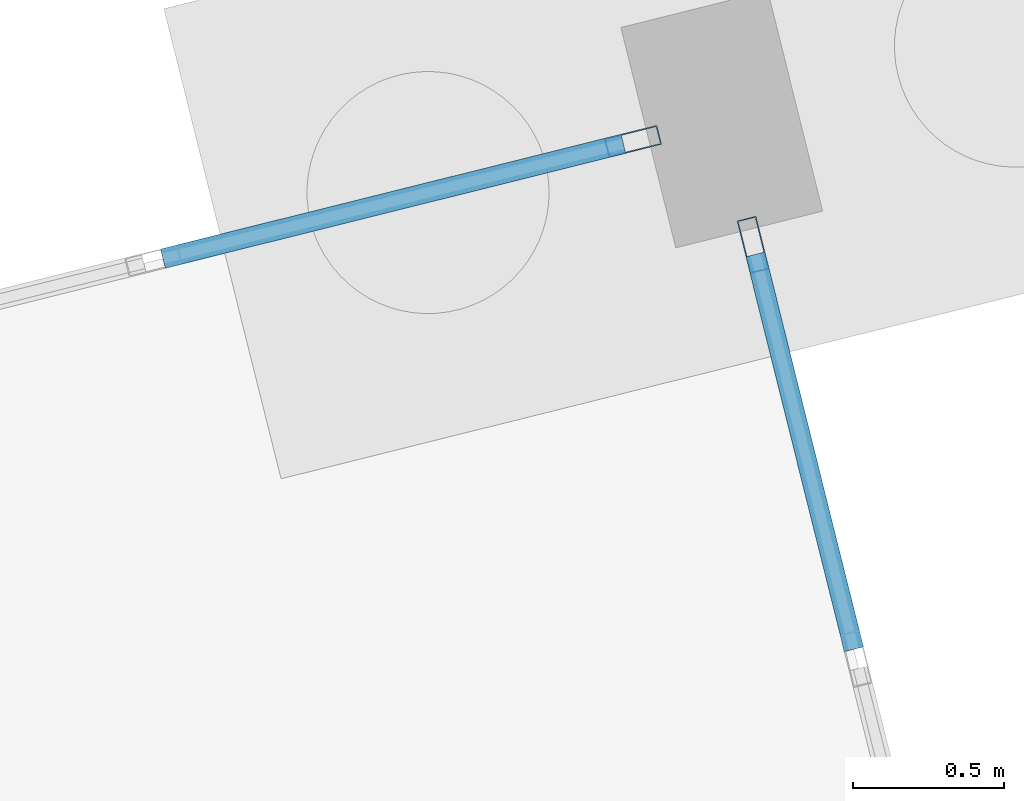
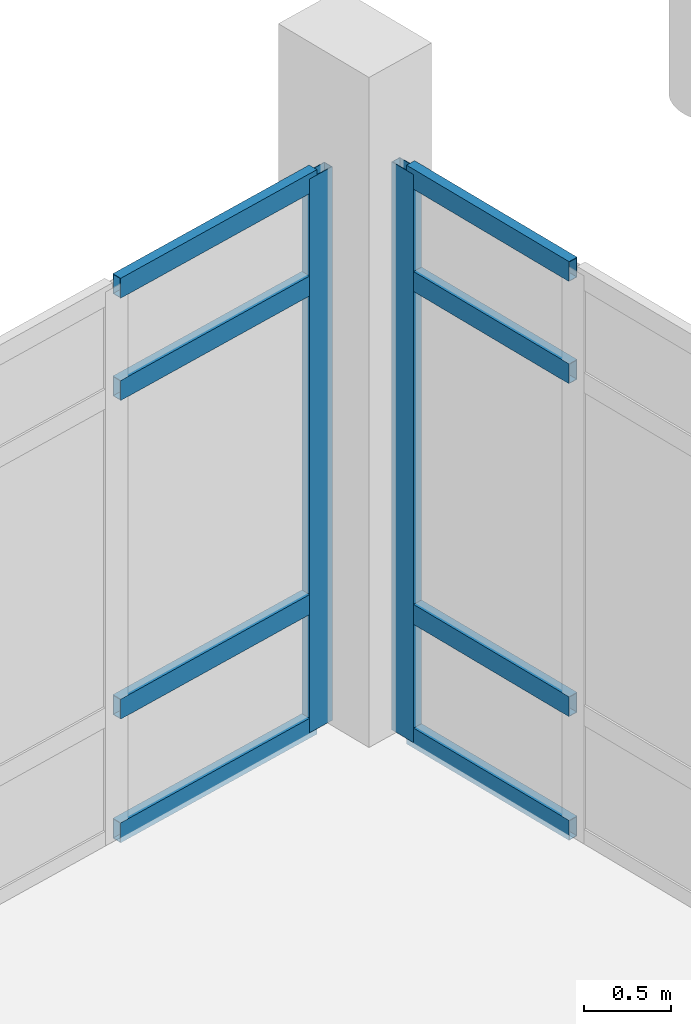
# One storey, part 102 of 173: 10 members, 2 elements without a shape of their own.
"""IFC4 building model written with IfcOpenShell, lengths in metres."""

import ifcopenshell
import ifcopenshell.guid

model = None  # the IFC model being written
_history = None  # IfcOwnerHistory: only IFC2X3 demands one
_inside = {}  # id of a spatial element -> (the spatial element, [elements in it])
_under = {}  # id of a project, library or spatial element -> (it, [spatial elements below it])
_declared = {}  # id of a project -> (the project, [libraries it declares])
_typed = {}  # id of a type object -> (the type object, [elements of that type])
_made_of = {}  # id of a material, layer set ... -> (it, [elements and type objects made of it])


def new_model(schema):
    """Start an empty IFC model of exactly this schema.

    Asked for "IFC4X3", IfcOpenShell would pick the latest addendum, in which some entities
    have other attributes; the version numbers below select the first issue.
    IFC2X3 requires an IfcOwnerHistory on every rooted entity: one is made here for all.
    """
    global model, _history
    if schema == "IFC4X3":
        model = ifcopenshell.file(schema_version=(4, 3, 0, 0))
    else:
        model = ifcopenshell.file(schema=schema)
    _inside.clear()
    _under.clear()
    _declared.clear()
    _typed.clear()
    _made_of.clear()
    _history = None
    if model.schema == "IFC2X3":
        org = make("IfcOrganization", Name="unknown")
        user = make(
            "IfcPersonAndOrganization",
            ThePerson=make("IfcPerson", FamilyName="unknown"),
            TheOrganization=org,
        )
        app = make(
            "IfcApplication",
            ApplicationDeveloper=org,
            Version="unknown",
            ApplicationFullName="unknown",
            ApplicationIdentifier="unknown",
        )
        _history = make(
            "IfcOwnerHistory",
            OwningUser=user,
            OwningApplication=app,
            ChangeAction="ADDED",
            CreationDate=0,
        )
    return model


def make(cls, **values):
    """One entity of the class cls with the attributes given. An attribute that is None is left unset."""
    return model.create_entity(
        cls, **{name: value for name, value in values.items() if value is not None}
    )


def rooted(cls, **values):
    """An entity with a GlobalId (a new one), such as an element, a storey or a relation."""
    return make(cls, GlobalId=ifcopenshell.guid.new(), OwnerHistory=_history, **values)


def si_unit(unit_type, name, prefix=None):
    """IfcSIUnit, for example si_unit("LENGTHUNIT", "METRE", prefix="MILLI")."""
    return make("IfcSIUnit", UnitType=unit_type, Prefix=prefix, Name=name)


def assignment(units):
    """IfcUnitAssignment: the units of a project."""
    return None if units is None else make("IfcUnitAssignment", Units=units)


def point(xyz):
    """IfcCartesianPoint."""
    return None if xyz is None else make("IfcCartesianPoint", Coordinates=xyz)


def direction(xyz):
    """IfcDirection."""
    return None if xyz is None else make("IfcDirection", DirectionRatios=xyz)


def frame(location, z_axis=None, x_axis=None):
    """IfcAxis2Placement3D, a coordinate frame: its origin and axes. An axis left out is left unset."""
    return make(
        "IfcAxis2Placement3D",
        Location=point(location),
        Axis=direction(z_axis),
        RefDirection=direction(x_axis),
    )


def frame_2d(location, x_axis=None):
    """IfcAxis2Placement2D, a coordinate frame in the plane: its origin and x axis."""
    return make(
        "IfcAxis2Placement2D", Location=point(location), RefDirection=direction(x_axis)
    )


def origin():
    """The frame at (0, 0, 0) with its axes left unset."""
    return frame((0.0, 0.0, 0.0))


def origin_2d():
    """The frame at (0, 0) in the plane with its x axis left unset."""
    return frame_2d((0.0, 0.0))


def place(relative_to, where):
    """IfcLocalPlacement: puts the frame where relative to a parent placement (None: the world)."""
    return make(
        "IfcLocalPlacement", PlacementRelTo=relative_to, RelativePlacement=where
    )


def context(
    kind, dimensions, precision=None, world=None, true_north=None, identifier=None
):
    """IfcGeometricRepresentationContext, for example the 3D "Model" context."""
    return make(
        "IfcGeometricRepresentationContext",
        ContextIdentifier=identifier,
        ContextType=kind,
        CoordinateSpaceDimension=dimensions,
        Precision=precision,
        WorldCoordinateSystem=world,
        TrueNorth=true_north,
    )


def subcontext(parent, identifier, kind, view, scale=None):
    """IfcGeometricRepresentationSubContext, for example "Body" below "Model"."""
    return make(
        "IfcGeometricRepresentationSubContext",
        ContextIdentifier=identifier,
        ContextType=kind,
        ParentContext=parent,
        TargetScale=scale,
        TargetView=view,
    )


def project(units=None, contexts=None):
    """IfcProject with its units and contexts."""
    return rooted(
        "IfcProject",
        Name="project",
        RepresentationContexts=contexts,
        UnitsInContext=assignment(units),
    )


def spatial(cls, under=None, at=None, **own):
    """A site, building, storey or space (cls), placed at a placement, below another one or the project."""
    s = rooted(cls, ObjectPlacement=at, **own)
    if under is not None:
        _under.setdefault(under.id(), (under, []))[1].append(s)
    return s


def profile(cls, at=None, kind="AREA", **sizes):
    """A parametric profile (cls). Its sizes go by their IFC names, for example OverallWidth=200.0."""
    return make(cls, ProfileType=kind, Position=at, **sizes)


def hollow_rectangle(**sizes):
    """IfcRectangleHollowProfileDef."""
    return profile("IfcRectangleHollowProfileDef", **sizes)


def extrude(swept, where, along, depth):
    """IfcExtrudedAreaSolid: the profile swept, set in the frame where, extruded along a direction by depth."""
    return make(
        "IfcExtrudedAreaSolid",
        SweptArea=swept,
        Position=where,
        ExtrudedDirection=direction(along),
        Depth=depth,
    )


def shape(context_of_items, identifier, shape_type, items):
    """IfcShapeRepresentation: the items that make up one representation, for example the "Body"."""
    return make(
        "IfcShapeRepresentation",
        ContextOfItems=context_of_items,
        RepresentationIdentifier=identifier,
        RepresentationType=shape_type,
        Items=items,
    )


def material(Name=None, Category=None):
    """IfcMaterial."""
    return make("IfcMaterial", Name=Name, Category=Category)


def layer(
    of_material, thickness, ventilated=None, Name=None, Category=None, Priority=None
):
    """IfcMaterialLayer: one layer of a wall or slab, of a material (None: an air gap)."""
    return make(
        "IfcMaterialLayer",
        Material=of_material,
        LayerThickness=thickness,
        IsVentilated=ventilated,
        Name=Name,
        Category=Category,
        Priority=Priority,
    )


def layer_set(layers, Name=None):
    """IfcMaterialLayerSet."""
    return make("IfcMaterialLayerSet", MaterialLayers=layers, LayerSetName=Name)


def material_profile(
    of_material, cross_section, Name=None, Category=None, Priority=None
):
    """IfcMaterialProfile: a cross section and its material."""
    return make(
        "IfcMaterialProfile",
        Name=Name,
        Material=of_material,
        Profile=cross_section,
        Priority=Priority,
        Category=Category,
    )


def profile_set(profiles, Name=None, composite=None):
    """IfcMaterialProfileSet."""
    return make(
        "IfcMaterialProfileSet",
        Name=Name,
        MaterialProfiles=profiles,
        CompositeProfile=composite,
    )


def made_of(thing, what):
    """Note that an element or type object is made of a material, layer set ...; save() writes the relation."""
    if what is not None:
        _made_of.setdefault(what.id(), (what, []))[1].append(thing)
    return thing


def type_object(cls, material=None, **own):
    """A type object (cls), such as IfcWallType, which elements share."""
    return made_of(rooted(cls, **own), material)


def element(
    cls,
    number,
    at=None,
    inside=None,
    cuts=None,
    type_object=None,
    material=None,
    context=None,
    identifier="Body",
    shape_type=None,
    held_by="IfcProductDefinitionShape",
    body=None,
    shapes=None,
    **own,
):
    """One element of the class cls, such as IfcWall. Its Tag is "e" and its number.

    at: its placement. inside: the storey or other place that contains it. cuts: it is an
    opening in that element (IfcRelVoidsElement). A single representation is given by context,
    identifier, shape_type and body (its items); several are given by shapes. held_by: the class
    of the entity that holds the representations. save() writes the other relations.
    """
    e = rooted(cls, Tag="e%d" % number, ObjectPlacement=at, **own)
    if body is not None:
        shapes = [shape(context, identifier, shape_type, body)]
    if shapes is not None:
        e.Representation = make(held_by, Representations=shapes)
    if inside is not None:
        _inside.setdefault(inside.id(), (inside, []))[1].append(e)
    if cuts is not None:
        rooted(
            "IfcRelVoidsElement", RelatingBuildingElement=cuts, RelatedOpeningElement=e
        )
    if type_object is not None:
        _typed.setdefault(type_object.id(), (type_object, []))[1].append(e)
    return made_of(e, material)


def aggregate(whole, parts):
    """IfcRelAggregates: a whole, such as a stair, and the parts it consists of."""
    return rooted("IfcRelAggregates", RelatingObject=whole, RelatedObjects=parts)


def save(model, path):
    """Write the relations noted so far, then the file.

    IfcRelAggregates (storeys below a building ...), IfcRelContainedInSpatialStructure (elements
    in a storey), IfcRelDefinesByType, IfcRelAssociatesMaterial and IfcRelDeclares: one each for
    every whole, place, type object, material and project.
    """
    for whole, parts in _under.values():
        aggregate(whole, parts)
    for where, things in _inside.values():
        rooted(
            "IfcRelContainedInSpatialStructure",
            RelatedElements=things,
            RelatingStructure=where,
        )
    for kind, things in _typed.values():
        rooted("IfcRelDefinesByType", RelatedObjects=things, RelatingType=kind)
    for what, things in _made_of.values():
        rooted("IfcRelAssociatesMaterial", RelatedObjects=things, RelatingMaterial=what)
    for by, libraries in _declared.values():
        rooted("IfcRelDeclares", RelatingContext=by, RelatedDefinitions=libraries)
    model.write(path)


model = new_model("IFC4")

# Units and contexts
model_context = context("Model", 3, precision=1e-05, world=origin(), true_north=direction((0.0, 1.0)))
body_context = subcontext(model_context, "Body", "Model", "MODEL_VIEW")
ifc_project = project(units=[si_unit("LENGTHUNIT", "METRE"), si_unit("AREAUNIT", "SQUARE_METRE"), si_unit("VOLUMEUNIT", "CUBIC_METRE"), si_unit("PLANEANGLEUNIT", "RADIAN"), si_unit("MASSUNIT", "GRAM", prefix="KILO")], contexts=[model_context])

# Site, building, storey
site_placement = place(None, origin())
site = spatial("IfcSite", under=ifc_project, at=site_placement, CompositionType="ELEMENT")
building_placement = place(site_placement, origin())
building = spatial("IfcBuilding", under=site, at=building_placement, Name="Mawjan Specialist Oncology Clinic", CompositionType="ELEMENT")
storey_placement = place(building_placement, origin())
storey = spatial("IfcBuildingStorey", under=building, at=storey_placement, Name="L00", CompositionType="ELEMENT", Elevation=0.0)

# Curtain wall, member
ifc_material_1 = material(Name="Unitised spectrally selective aluminium curtain wall", Category="aluminium")
ifc_layer_1 = layer(ifc_material_1, 0.179931640625, Name="Unitised spectrally selective aluminium curtain wall", Category="aluminium")
ifc_layer_set_1 = layer_set([ifc_layer_1], Name="Unitised spectrally selective aluminium curtain wall")
curtain_wall_type_1 = type_object("IfcCurtainWallType", Name="CW-40", PredefinedType="NOTDEFINED", material=ifc_layer_set_1)
curtain_wall_1_placement = place(storey_placement, origin())
curtain_wall_1 = element("IfcCurtainWall", 1, at=curtain_wall_1_placement, inside=storey, type_object=curtain_wall_type_1, Name="L00 Unitised Curtain Wall CW-L00-083", PredefinedType="NOTDEFINED")
ifc_material_2 = material(Name="Thermally broken aluminium 6063-T6", Category="aluminium")
ifc_material_profile_1 = material_profile(ifc_material_2, hollow_rectangle(XDim=0.06494140625, YDim=0.179931640625, WallThickness=0.00390625, at=origin_2d()), Name="ALU MULLION 180x65x4", Category="aluminium")
ifc_profile_set_1 = profile_set([ifc_material_profile_1], Name="Thermally broken aluminium 6063-T6")
member_type_1 = type_object("IfcMemberType", Name="CW-M180", PredefinedType="MULLION", material=ifc_profile_set_1)
member_1_placement = place(storey_placement, frame((143.97412109375, 46.506103515625, 0.0), z_axis=(0.0, 0.0, 1.0), x_axis=(-0.241921939309, 0.970295715378, 0.0)))
member_1 = element("IfcMember", 2, at=member_1_placement, type_object=member_type_1, Name="CW-40 mullion 5", PredefinedType="MULLION", context=body_context, shape_type="SweptSolid", body=[
    extrude(hollow_rectangle(XDim=0.06494140625, YDim=0.179931640625, WallThickness=0.00390625, at=origin_2d()), origin(), (0.0, 0.0, 1.0), 3.885009765625),
])

ifc_material_3 = material(Name="Unitised spectrally selective aluminium curtain wall", Category="aluminium")
ifc_layer_2 = layer(ifc_material_3, 0.179931640625, Name="Unitised spectrally selective aluminium curtain wall", Category="aluminium")
ifc_layer_set_2 = layer_set([ifc_layer_2], Name="Unitised spectrally selective aluminium curtain wall")
curtain_wall_type_2 = type_object("IfcCurtainWallType", Name="CW-34", PredefinedType="NOTDEFINED", material=ifc_layer_set_2)
curtain_wall_2_placement = place(storey_placement, origin())
curtain_wall_2 = element("IfcCurtainWall", 3, at=curtain_wall_2_placement, inside=storey, type_object=curtain_wall_type_2, Name="L00 Unitised Curtain Wall CW-L00-084", PredefinedType="NOTDEFINED")
member_2_placement = place(storey_placement, frame((144.37109375, 46.164306640625, 0.0), z_axis=(0.0, 0.0, 1.0), x_axis=(0.970295720441, 0.241921919004, 0.0)))
member_2 = element("IfcMember", 4, at=member_2_placement, type_object=member_type_1, Name="CW-34 mullion 1", PredefinedType="MULLION", context=body_context, shape_type="SweptSolid", body=[
    extrude(hollow_rectangle(XDim=0.06494140625, YDim=0.179931640625, WallThickness=0.00390625, at=origin_2d()), origin(), (0.0, 0.0, 1.0), 3.985107421875),
])

# Member
ifc_material_4 = material(Name="Thermally broken aluminium 6063-T6", Category="aluminium")
ifc_material_profile_2 = material_profile(ifc_material_4, hollow_rectangle(XDim=0.06494140625, YDim=0.139892578125, WallThickness=0.00390625, at=origin_2d()), Name="ALU TRANSOM 140x65x4", Category="aluminium")
ifc_profile_set_2 = profile_set([ifc_material_profile_2], Name="Thermally broken aluminium 6063-T6")
member_type_2 = type_object("IfcMemberType", Name="CW-T140", PredefinedType="USERDEFINED", material=ifc_profile_set_2)
member_3_placement = place(storey_placement, frame((142.421630859375, 46.118896484375, 0.032470703125), z_axis=(0.970307185051, 0.241875932325, 0.0), x_axis=(-0.241875932325, 0.970307185051, 0.0)))
member_3 = element("IfcMember", 5, at=member_3_placement, type_object=member_type_2, Name="CW-40 transom 4.1", ObjectType="TRANSOM", PredefinedType="USERDEFINED", context=body_context, shape_type="SweptSolid", body=[
    extrude(hollow_rectangle(XDim=0.06494140625, YDim=0.139892578125, WallThickness=0.00390625, at=origin_2d()), origin(), (0.0, 0.0, 1.0), 1.567626953125),
])

member_4_placement = place(storey_placement, frame((142.421630859375, 46.118896484375, 0.89990234375), z_axis=(0.970307185051, 0.241875932325, 0.0), x_axis=(-0.241875932325, 0.970307185051, 0.0)))
member_4 = element("IfcMember", 6, at=member_4_placement, type_object=member_type_2, Name="CW-40 transom 4.2", ObjectType="TRANSOM", PredefinedType="USERDEFINED", context=body_context, shape_type="SweptSolid", body=[
    extrude(hollow_rectangle(XDim=0.06494140625, YDim=0.139892578125, WallThickness=0.00390625, at=origin_2d()), origin(), (0.0, 0.0, 1.0), 1.567626953125),
])

member_5_placement = place(storey_placement, frame((142.421630859375, 46.118896484375, 3.135009765625), z_axis=(0.970307185051, 0.241875932325, 0.0), x_axis=(-0.241875932325, 0.970307185051, 0.0)))
member_5 = element("IfcMember", 7, at=member_5_placement, type_object=member_type_2, Name="CW-40 transom 4.3", ObjectType="TRANSOM", PredefinedType="USERDEFINED", context=body_context, shape_type="SweptSolid", body=[
    extrude(hollow_rectangle(XDim=0.06494140625, YDim=0.139892578125, WallThickness=0.00390625, at=origin_2d()), origin(), (0.0, 0.0, 1.0), 1.567626953125),
])

member_6_placement = place(storey_placement, frame((142.421630859375, 46.118896484375, 3.8525390625), z_axis=(0.970307185051, 0.241875932325, 0.0), x_axis=(-0.241875932325, 0.970307185051, 0.0)))
member_6 = element("IfcMember", 8, at=member_6_placement, type_object=member_type_2, Name="CW-40 transom 4.4", ObjectType="TRANSOM", PredefinedType="USERDEFINED", context=body_context, shape_type="SweptSolid", body=[
    extrude(hollow_rectangle(XDim=0.06494140625, YDim=0.139892578125, WallThickness=0.00390625, at=origin_2d()), origin(), (0.0, 0.0, 1.0), 1.567626953125),
])

aggregate(curtain_wall_1, [member_1, member_3, member_4, member_5, member_6])

member_7_placement = place(storey_placement, frame((144.37890625, 46.1328125, 0.032470703125), z_axis=(0.24189462186, -0.970302525976, 0.0), x_axis=(0.970302525976, 0.24189462186, 0.0)))
member_7 = element("IfcMember", 9, at=member_7_placement, type_object=member_type_2, Name="CW-34 transom 1.1", ObjectType="TRANSOM", PredefinedType="USERDEFINED", context=body_context, shape_type="SweptSolid", body=[
    extrude(hollow_rectangle(XDim=0.06494140625, YDim=0.139892578125, WallThickness=0.00390625, at=origin_2d()), origin(), (0.0, 0.0, 1.0), 1.344482421875),
])

member_8_placement = place(storey_placement, frame((144.37890625, 46.1328125, 0.89990234375), z_axis=(0.24189462186, -0.970302525976, 0.0), x_axis=(0.970302525976, 0.24189462186, 0.0)))
member_8 = element("IfcMember", 10, at=member_8_placement, type_object=member_type_2, Name="CW-34 transom 1.2", ObjectType="TRANSOM", PredefinedType="USERDEFINED", context=body_context, shape_type="SweptSolid", body=[
    extrude(hollow_rectangle(XDim=0.06494140625, YDim=0.139892578125, WallThickness=0.00390625, at=origin_2d()), origin(), (0.0, 0.0, 1.0), 1.344482421875),
])

member_9_placement = place(storey_placement, frame((144.37890625, 46.1328125, 3.235107421875), z_axis=(0.24189462186, -0.970302525976, 0.0), x_axis=(0.970302525976, 0.24189462186, 0.0)))
member_9 = element("IfcMember", 11, at=member_9_placement, type_object=member_type_2, Name="CW-34 transom 1.3", ObjectType="TRANSOM", PredefinedType="USERDEFINED", context=body_context, shape_type="SweptSolid", body=[
    extrude(hollow_rectangle(XDim=0.06494140625, YDim=0.139892578125, WallThickness=0.00390625, at=origin_2d()), origin(), (0.0, 0.0, 1.0), 1.344482421875),
])

member_10_placement = place(storey_placement, frame((144.37890625, 46.1328125, 3.952392578125), z_axis=(0.24189462186, -0.970302525976, 0.0), x_axis=(0.970302525976, 0.24189462186, 0.0)))
member_10 = element("IfcMember", 12, at=member_10_placement, type_object=member_type_2, Name="CW-34 transom 1.4", ObjectType="TRANSOM", PredefinedType="USERDEFINED", context=body_context, shape_type="SweptSolid", body=[
    extrude(hollow_rectangle(XDim=0.06494140625, YDim=0.139892578125, WallThickness=0.00390625, at=origin_2d()), origin(), (0.0, 0.0, 1.0), 1.344482421875),
])

aggregate(curtain_wall_2, [member_2, member_7, member_8, member_9, member_10])

save(model, "model.ifc")
